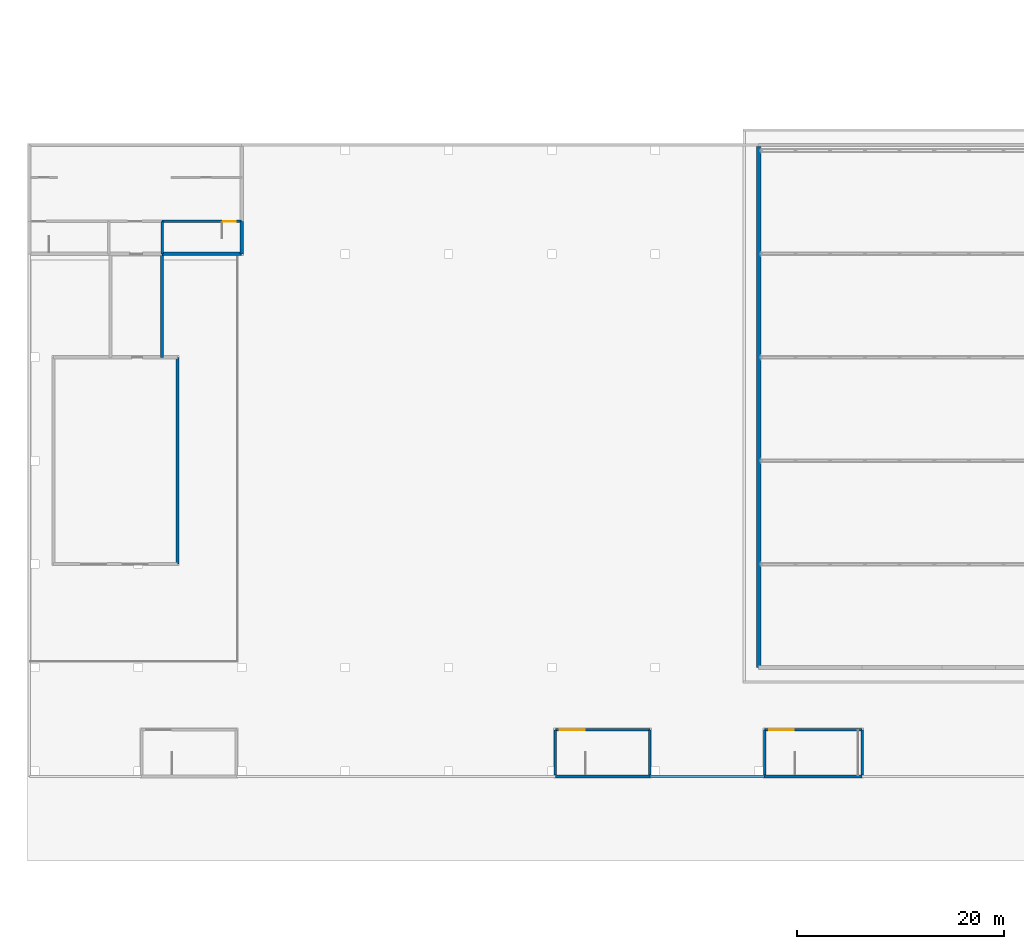
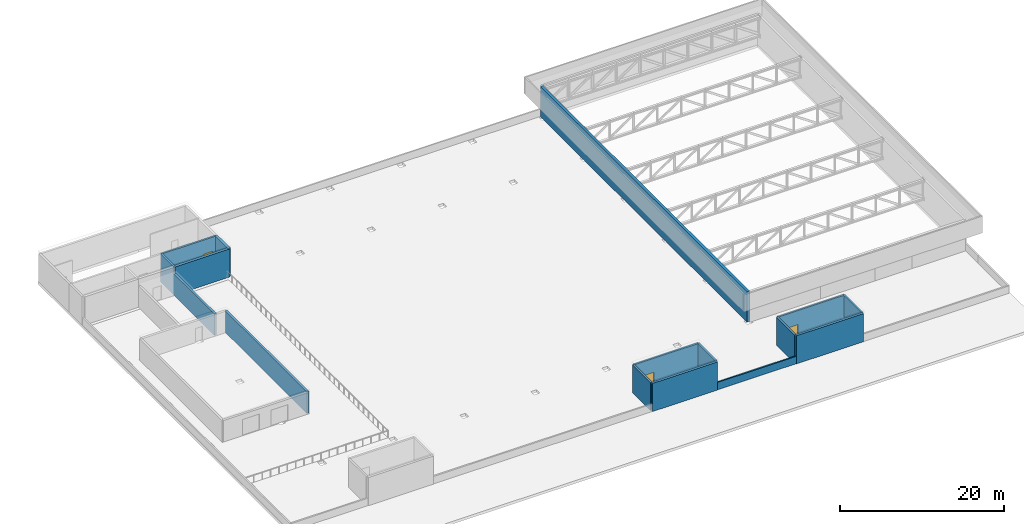
# One storey, part 23 of 31: 16 walls, 3 doors, 3 openings.
"""IFC4 building model written with IfcOpenShell, lengths in metres."""

from ifc_helpers import new_model, si_unit, direction, frame, frame_2d, origin, place, context, subcontext, project, spatial, rectangle, extrude, material, layer, layer_set, type_object, element, fill, save


model = new_model("IFC4")

# Units and contexts
model_context = context("Model", 3, precision=1e-05, world=origin(), true_north=direction((0.0, 1.0)))
body_context = subcontext(model_context, "Body", "Model", "MODEL_VIEW")
ifc_project = project(units=[si_unit("LENGTHUNIT", "METRE"), si_unit("AREAUNIT", "SQUARE_METRE"), si_unit("VOLUMEUNIT", "CUBIC_METRE"), si_unit("PLANEANGLEUNIT", "RADIAN"), si_unit("MASSUNIT", "GRAM", prefix="KILO")], contexts=[model_context])

# Site, building, storey
site_placement = place(None, origin())
site = spatial("IfcSite", under=ifc_project, at=site_placement, CompositionType="ELEMENT")
building_placement = place(site_placement, origin())
building = spatial("IfcBuilding", under=site, at=building_placement, Name="Jabali Bay Hotel Tower and Convention Centre", CompositionType="ELEMENT")
storey_placement = place(building_placement, frame((0.0, 0.0, 25.39990234375)))
storey = spatial("IfcBuildingStorey", under=building, at=storey_placement, Name="L04", CompositionType="ELEMENT", Elevation=25.39990234375)

# Walls
ifc_material_1 = material(Name="Concrete C60", Category="concrete")
ifc_layer_1 = layer(ifc_material_1, 0.35009765625)
ifc_layer_set_1 = layer_set([ifc_layer_1], Name="Concrete C60")
wall_type_1 = type_object("IfcWallType", Name="CC Core Wall 350", PredefinedType="SHEAR", material=ifc_layer_set_1)
wall_1_placement = place(storey_placement, frame((163.0, 100.0, 0.0), z_axis=(0.0, 0.0, 1.0), x_axis=(1.0, 0.0, 0.0)))
element("IfcWall", 1, at=wall_1_placement, inside=storey, type_object=wall_type_1, Name="CC west core wall", PredefinedType="SHEAR", context=body_context, shape_type="SweptSolid", body=[
    extrude(rectangle(XDim=7.699951171875, YDim=0.35009765625, at=frame_2d((3.85009765625, 0.0))), origin(), (0.0, 0.0, 1.0), 4.190185546875),
])
wall_2_placement = place(storey_placement, frame((170.699951171875, 100.0, 0.0), z_axis=(0.0, 0.0, 1.0), x_axis=(0.0, 1.0, 0.0)))
element("IfcWall", 2, at=wall_2_placement, inside=storey, type_object=wall_type_1, Name="CC west core wall", PredefinedType="SHEAR", context=body_context, shape_type="SweptSolid", body=[
    extrude(rectangle(XDim=3.14990234375, YDim=0.35009765625, at=frame_2d((1.574951171875, 0.0))), origin(), (0.0, 0.0, 1.0), 4.190185546875),
])
ifc_material_2 = material(Name="Concrete C40", Category="concrete")
ifc_layer_2 = layer(ifc_material_2, 0.300048828125)
ifc_layer_set_2 = layer_set([ifc_layer_2], Name="Concrete C40")
wall_type_2 = type_object("IfcWallType", Name="CC External Wall 300", PredefinedType="SOLIDWALL", material=ifc_layer_set_2)
wall_3_placement = place(storey_placement, frame((201.02490234375, 49.449951171875, 0.0), z_axis=(0.0, 0.0, 1.0), x_axis=(1.0, 0.0, 0.0)))
element("IfcWall", 3, at=wall_3_placement, inside=storey, type_object=wall_type_2, Name="CC wall 246", PredefinedType="SOLIDWALL", context=body_context, shape_type="SweptSolid", body=[
    extrude(rectangle(XDim=9.150146484375, YDim=0.300048828125, at=frame_2d((4.5751953125, 0.0))), origin(), (0.0, 0.0, 1.0), 4.190185546875),
])
wall_4_placement = place(storey_placement, frame((221.27490234375, 49.449951171875, 0.0), z_axis=(0.0, 0.0, 1.0), x_axis=(1.0, 0.0, 0.0)))
element("IfcWall", 4, at=wall_4_placement, inside=storey, type_object=wall_type_2, Name="CC wall 250", PredefinedType="SOLIDWALL", context=body_context, shape_type="SweptSolid", body=[
    extrude(rectangle(XDim=9.425048828125, YDim=0.300048828125, at=frame_2d((4.71240234375, 0.0))), origin(), (0.0, 0.0, 1.0), 4.190185546875),
])
wall_5_placement = place(storey_placement, frame((164.5, 70.0, 0.0), z_axis=(0.0, 0.0, 1.0), x_axis=(0.0, 1.0, 0.0)))
element("IfcWall", 5, at=wall_5_placement, inside=storey, type_object=wall_type_2, Name="CC roof garden restaurant wall", PredefinedType="SOLIDWALL", context=body_context, shape_type="SweptSolid", body=[
    extrude(rectangle(XDim=20.0, YDim=0.300048828125, at=frame_2d((10.0, 0.0))), origin(), (0.0, 0.0, 1.0), 3.190185546875),
])
wall_6_placement = place(storey_placement, frame((163.0, 90.0, 0.0), z_axis=(0.0, 0.0, 1.0), x_axis=(0.0, 1.0, 0.0)))
element("IfcWall", 6, at=wall_6_placement, inside=storey, type_object=wall_type_2, Name="CC roof garden restaurant passage wall", PredefinedType="SOLIDWALL", context=body_context, shape_type="SweptSolid", body=[
    extrude(rectangle(XDim=10.0, YDim=0.300048828125, at=frame_2d((5.0, 0.0))), origin(), (0.0, 0.0, 1.0), 3.190185546875),
])
ifc_layer_3 = layer(ifc_material_2, 0.39990234375)
ifc_layer_set_3 = layer_set([ifc_layer_3], Name="Concrete C40")
wall_type_3 = type_object("IfcWallType", Name="CC Hall Wall 400", PredefinedType="SHEAR", material=ifc_layer_set_3)
wall_7_placement = place(storey_placement, frame((220.699951171875, 60.0, 0.0), z_axis=(0.0, 0.0, 1.0), x_axis=(0.0, 1.0, 0.0)))
element("IfcWall", 7, at=wall_7_placement, inside=storey, type_object=wall_type_3, Name="CC plenary clerestory wall", PredefinedType="SHEAR", context=body_context, shape_type="SweptSolid", body=[
    extrude(rectangle(XDim=50.39990234375, YDim=0.39990234375, at=frame_2d((25.199951171875, 0.0))), origin(), (0.0, 0.0, 1.0), 4.5),
])
ifc_layer_4 = layer(ifc_material_2, 0.199951171875)
ifc_layer_set_4 = layer_set([ifc_layer_4], Name="Concrete C40")
wall_type_4 = type_object("IfcWallType", Name="CC Parapet 200", PredefinedType="PARAPET", material=ifc_layer_set_4)
wall_8_placement = place(storey_placement, frame((210.175048828125, 49.449951171875, 0.0), z_axis=(0.0, 0.0, 1.0), x_axis=(1.0, 0.0, 0.0)))
element("IfcWall", 8, at=wall_8_placement, inside=storey, type_object=wall_type_4, Name="CC roof parapet", PredefinedType="PARAPET", context=body_context, shape_type="SweptSolid", body=[
    extrude(rectangle(XDim=11.099853515625, YDim=0.199951171875, at=frame_2d((5.5498046875, 0.0))), origin(), (0.0, 0.0, 1.0), 1.10009765625),
])

# Wall, opening, door
ifc_layer_5 = layer(ifc_material_2, 0.25)
ifc_layer_set_5 = layer_set([ifc_layer_5], Name="Concrete C40")
wall_type_5 = type_object("IfcWallType", Name="CC Shaft Wall 250", PredefinedType="SHEAR", material=ifc_layer_set_5)
wall_9_placement = place(storey_placement, frame((163.0, 103.14990234375, 0.0), z_axis=(0.0, 0.0, 1.0), x_axis=(1.0, 0.0, 0.0)))
wall_9 = element("IfcWall", 9, at=wall_9_placement, inside=storey, type_object=wall_type_5, Name="CC west core wall", PredefinedType="SHEAR", context=body_context, shape_type="SweptSolid", body=[
    extrude(rectangle(XDim=7.699951171875, YDim=0.25, at=frame_2d((3.85009765625, 0.0))), origin(), (0.0, 0.0, 1.0), 4.190185546875),
])
opening_1_placement = place(wall_9_placement, frame((5.925048828125, 0.0, 0.0)))
opening_1 = element("IfcOpeningElement", 10, at=opening_1_placement, cuts=wall_9, Name="Opening CC-D165", PredefinedType="OPENING", context=body_context, shape_type="SweptSolid", body=[
    extrude(rectangle(XDim=1.199951171875, YDim=2.10009765625, at=frame_2d((0.60009765625, 1.050048828125))), frame((0.0, 0.135498046875, 0.0), z_axis=(0.0, -1.0, 0.0), x_axis=(1.0, 0.0, 0.0)), (0.0, 0.0, 1.0), 0.27099609375),
])
ifc_material_3 = material(Name="Timber and steel door set", Category="steel")
door_type_1 = type_object("IfcDoorType", Name="CC Stair Door 1200x2100", OperationType="NOTDEFINED", PredefinedType="DOOR", material=ifc_material_3)
door_1_placement = place(opening_1_placement, origin())
door_1 = element("IfcDoor", 11, at=door_1_placement, inside=storey, type_object=door_type_1, Name="CC door CC-D165", OperationType="SINGLE_SWING_LEFT", OverallHeight=2.10009765625, OverallWidth=1.199951171875, PredefinedType="DOOR", context=body_context, shape_type="SweptSolid", body=[
    extrude(rectangle(XDim=1.199951171875, YDim=2.10009765625, at=frame_2d((0.60009765625, 1.050048828125))), frame((0.0, 0.02490234375, 0.0), z_axis=(0.0, -1.0, 0.0), x_axis=(1.0, 0.0, 0.0)), (0.0, 0.0, 1.0), 0.050048828125),
])
fill(opening_1, door_1)

# Wall
wall_10_placement = place(storey_placement, frame((163.0, 100.0, 0.0), z_axis=(0.0, 0.0, 1.0), x_axis=(0.0, 1.0, 0.0)))
element("IfcWall", 12, at=wall_10_placement, inside=storey, type_object=wall_type_5, Name="CC west core wall", PredefinedType="SHEAR", context=body_context, shape_type="SweptSolid", body=[
    extrude(rectangle(XDim=3.14990234375, YDim=0.25, at=frame_2d((1.574951171875, 0.0))), origin(), (0.0, 0.0, 1.0), 4.190185546875),
])

# Wall, opening, door
wall_11_placement = place(storey_placement, frame((201.02490234375, 53.97509765625, 0.0), z_axis=(0.0, 0.0, 1.0), x_axis=(1.0, 0.0, 0.0)))
wall_11 = element("IfcWall", 13, at=wall_11_placement, inside=storey, type_object=wall_type_5, Name="CC wall 247", PredefinedType="SHEAR", context=body_context, shape_type="SweptSolid", body=[
    extrude(rectangle(XDim=9.150146484375, YDim=0.25, at=frame_2d((4.5751953125, 0.0))), origin(), (0.0, 0.0, 1.0), 4.190185546875),
])
opening_2_placement = place(wall_11_placement, frame((0.425048828125, 0.0, 0.0)))
opening_2 = element("IfcOpeningElement", 14, at=opening_2_placement, cuts=wall_11, Name="Opening CC-D223", PredefinedType="OPENING", context=body_context, shape_type="SweptSolid", body=[
    extrude(rectangle(XDim=2.39990234375, YDim=2.10009765625, at=frame_2d((1.199951171875, 1.050048828125))), frame((0.0, 0.135498046875, 0.0), z_axis=(0.0, -1.0, 0.0), x_axis=(1.0, 0.0, 0.0)), (0.0, 0.0, 1.0), 0.27099609375),
])
door_type_2 = type_object("IfcDoorType", Name="CC Stair Door Pair 2400x2100", OperationType="NOTDEFINED", PredefinedType="DOOR", material=ifc_material_3)
door_2_placement = place(opening_2_placement, origin())
door_2 = element("IfcDoor", 15, at=door_2_placement, inside=storey, type_object=door_type_2, Name="CC door CC-D223", OperationType="DOUBLE_DOOR_SINGLE_SWING", OverallHeight=2.10009765625, OverallWidth=2.39990234375, PredefinedType="DOOR", context=body_context, shape_type="SweptSolid", body=[
    extrude(rectangle(XDim=2.39990234375, YDim=2.10009765625, at=frame_2d((1.199951171875, 1.050048828125))), frame((0.0, 0.02490234375, 0.0), z_axis=(0.0, -1.0, 0.0), x_axis=(1.0, 0.0, 0.0)), (0.0, 0.0, 1.0), 0.050048828125),
])
fill(opening_2, door_2)

# Walls
for number, where, z_axis, x_axis, name in (
    (16, (201.02490234375, 49.60009765625, 0.0), (0.0, 0.0, 1.0), (0.0, 1.0, 0.0), "CC wall 248"),
    (17, (210.175048828125, 49.60009765625, 0.0), (0.0, 0.0, 1.0), (0.0, 1.0, 0.0), "CC wall 249"),
):
    element("IfcWall", number, at=place(storey_placement, frame(where, z_axis=z_axis, x_axis=x_axis)), inside=storey, type_object=wall_type_5, Name=name, PredefinedType="SHEAR", context=body_context, shape_type="SweptSolid", body=[
        extrude(rectangle(XDim=4.375, YDim=0.25, at=frame_2d((2.1875, 0.0))), origin(), (0.0, 0.0, 1.0), 4.190185546875),
    ])

# Wall, opening, door
wall_12_placement = place(storey_placement, frame((221.27490234375, 53.97509765625, 0.0), z_axis=(0.0, 0.0, 1.0), x_axis=(1.0, 0.0, 0.0)))
wall_12 = element("IfcWall", 18, at=wall_12_placement, inside=storey, type_object=wall_type_5, Name="CC wall 251", PredefinedType="SHEAR", context=body_context, shape_type="SweptSolid", body=[
    extrude(rectangle(XDim=9.425048828125, YDim=0.25, at=frame_2d((4.71240234375, 0.0))), origin(), (0.0, 0.0, 1.0), 4.190185546875),
])
opening_3_placement = place(wall_12_placement, frame((0.425048828125, 0.0, 0.0)))
opening_3 = element("IfcOpeningElement", 19, at=opening_3_placement, cuts=wall_12, Name="Opening CC-D229", PredefinedType="OPENING", context=body_context, shape_type="SweptSolid", body=[
    extrude(rectangle(XDim=2.39990234375, YDim=2.10009765625, at=frame_2d((1.199951171875, 1.050048828125))), frame((0.0, 0.135498046875, 0.0), z_axis=(0.0, -1.0, 0.0), x_axis=(1.0, 0.0, 0.0)), (0.0, 0.0, 1.0), 0.27099609375),
])
door_3_placement = place(opening_3_placement, origin())
door_3 = element("IfcDoor", 20, at=door_3_placement, inside=storey, type_object=door_type_2, Name="CC door CC-D229", OperationType="DOUBLE_DOOR_SINGLE_SWING", OverallHeight=2.10009765625, OverallWidth=2.39990234375, PredefinedType="DOOR", context=body_context, shape_type="SweptSolid", body=[
    extrude(rectangle(XDim=2.39990234375, YDim=2.10009765625, at=frame_2d((1.199951171875, 1.050048828125))), frame((0.0, 0.02490234375, 0.0), z_axis=(0.0, -1.0, 0.0), x_axis=(1.0, 0.0, 0.0)), (0.0, 0.0, 1.0), 0.050048828125),
])
fill(opening_3, door_3)

# Walls
for number, where, z_axis, x_axis, name in (
    (21, (221.27490234375, 49.60009765625, 0.0), (0.0, 0.0, 1.0), (0.0, 1.0, 0.0), "CC wall 252"),
    (22, (230.699951171875, 49.60009765625, 0.0), (0.0, 0.0, 1.0), (0.0, 1.0, 0.0), "CC wall 253"),
):
    element("IfcWall", number, at=place(storey_placement, frame(where, z_axis=z_axis, x_axis=x_axis)), inside=storey, type_object=wall_type_5, Name=name, PredefinedType="SHEAR", context=body_context, shape_type="SweptSolid", body=[
        extrude(rectangle(XDim=4.375, YDim=0.25, at=frame_2d((2.1875, 0.0))), origin(), (0.0, 0.0, 1.0), 4.190185546875),
    ])

save(model, "model.ifc")
